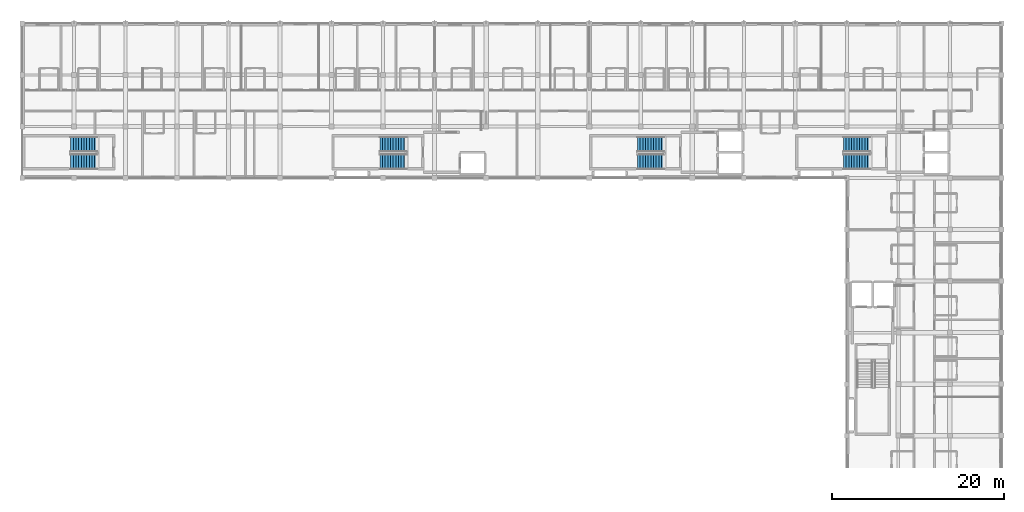
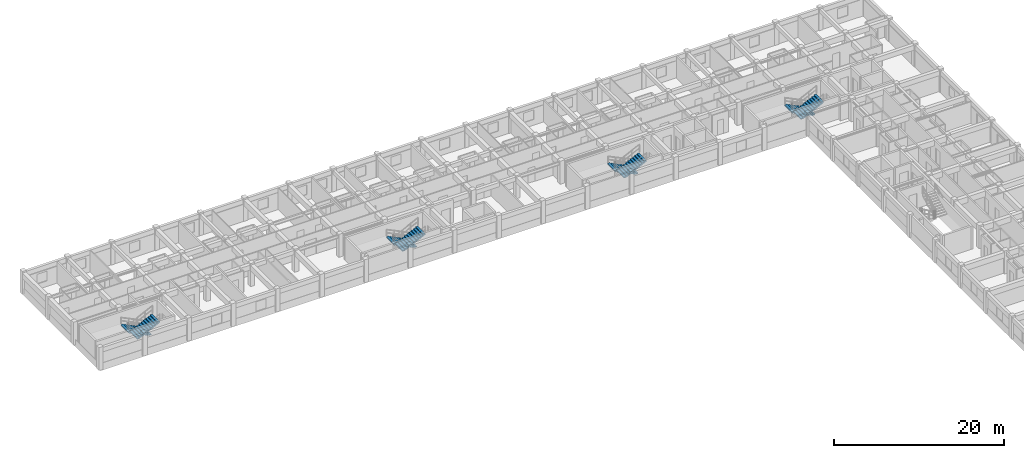
# One storey, part 17 of 22: 8 stair flights, 4 elements without a shape of their own.
"""IFC4 building model written with IfcOpenShell, lengths in metres."""

import ifcopenshell
import ifcopenshell.guid

model = None  # the IFC model being written
_history = None  # IfcOwnerHistory: only IFC2X3 demands one
_inside = {}  # id of a spatial element -> (the spatial element, [elements in it])
_under = {}  # id of a project, library or spatial element -> (it, [spatial elements below it])
_declared = {}  # id of a project -> (the project, [libraries it declares])
_typed = {}  # id of a type object -> (the type object, [elements of that type])
_made_of = {}  # id of a material, layer set ... -> (it, [elements and type objects made of it])


def new_model(schema):
    """Start an empty IFC model of exactly this schema.

    Asked for "IFC4X3", IfcOpenShell would pick the latest addendum, in which some entities
    have other attributes; the version numbers below select the first issue.
    IFC2X3 requires an IfcOwnerHistory on every rooted entity: one is made here for all.
    """
    global model, _history
    if schema == "IFC4X3":
        model = ifcopenshell.file(schema_version=(4, 3, 0, 0))
    else:
        model = ifcopenshell.file(schema=schema)
    _inside.clear()
    _under.clear()
    _declared.clear()
    _typed.clear()
    _made_of.clear()
    _history = None
    if model.schema == "IFC2X3":
        org = make("IfcOrganization", Name="unknown")
        user = make(
            "IfcPersonAndOrganization",
            ThePerson=make("IfcPerson", FamilyName="unknown"),
            TheOrganization=org,
        )
        app = make(
            "IfcApplication",
            ApplicationDeveloper=org,
            Version="unknown",
            ApplicationFullName="unknown",
            ApplicationIdentifier="unknown",
        )
        _history = make(
            "IfcOwnerHistory",
            OwningUser=user,
            OwningApplication=app,
            ChangeAction="ADDED",
            CreationDate=0,
        )
    return model


def make(cls, **values):
    """One entity of the class cls with the attributes given. An attribute that is None is left unset."""
    return model.create_entity(
        cls, **{name: value for name, value in values.items() if value is not None}
    )


def rooted(cls, **values):
    """An entity with a GlobalId (a new one), such as an element, a storey or a relation."""
    return make(cls, GlobalId=ifcopenshell.guid.new(), OwnerHistory=_history, **values)


def si_unit(unit_type, name, prefix=None):
    """IfcSIUnit, for example si_unit("LENGTHUNIT", "METRE", prefix="MILLI")."""
    return make("IfcSIUnit", UnitType=unit_type, Prefix=prefix, Name=name)


def assignment(units):
    """IfcUnitAssignment: the units of a project."""
    return None if units is None else make("IfcUnitAssignment", Units=units)


def point(xyz):
    """IfcCartesianPoint."""
    return None if xyz is None else make("IfcCartesianPoint", Coordinates=xyz)


def direction(xyz):
    """IfcDirection."""
    return None if xyz is None else make("IfcDirection", DirectionRatios=xyz)


def frame(location, z_axis=None, x_axis=None):
    """IfcAxis2Placement3D, a coordinate frame: its origin and axes. An axis left out is left unset."""
    return make(
        "IfcAxis2Placement3D",
        Location=point(location),
        Axis=direction(z_axis),
        RefDirection=direction(x_axis),
    )


def origin():
    """The frame at (0, 0, 0) with its axes left unset."""
    return frame((0.0, 0.0, 0.0))


def place(relative_to, where):
    """IfcLocalPlacement: puts the frame where relative to a parent placement (None: the world)."""
    return make(
        "IfcLocalPlacement", PlacementRelTo=relative_to, RelativePlacement=where
    )


def context(
    kind, dimensions, precision=None, world=None, true_north=None, identifier=None
):
    """IfcGeometricRepresentationContext, for example the 3D "Model" context."""
    return make(
        "IfcGeometricRepresentationContext",
        ContextIdentifier=identifier,
        ContextType=kind,
        CoordinateSpaceDimension=dimensions,
        Precision=precision,
        WorldCoordinateSystem=world,
        TrueNorth=true_north,
    )


def subcontext(parent, identifier, kind, view, scale=None):
    """IfcGeometricRepresentationSubContext, for example "Body" below "Model"."""
    return make(
        "IfcGeometricRepresentationSubContext",
        ContextIdentifier=identifier,
        ContextType=kind,
        ParentContext=parent,
        TargetScale=scale,
        TargetView=view,
    )


def project(units=None, contexts=None):
    """IfcProject with its units and contexts."""
    return rooted(
        "IfcProject",
        Name="project",
        RepresentationContexts=contexts,
        UnitsInContext=assignment(units),
    )


def spatial(cls, under=None, at=None, **own):
    """A site, building, storey or space (cls), placed at a placement, below another one or the project."""
    s = rooted(cls, ObjectPlacement=at, **own)
    if under is not None:
        _under.setdefault(under.id(), (under, []))[1].append(s)
    return s


def polyline(points):
    """IfcPolyline through the points."""
    return make("IfcPolyline", Points=[point(p) for p in points])


def outline(outer, holes=None, kind="AREA"):
    """IfcArbitraryClosedProfileDef: a profile drawn as a closed curve; with holes, ...WithVoids."""
    if holes is None:
        return make("IfcArbitraryClosedProfileDef", ProfileType=kind, OuterCurve=outer)
    return make(
        "IfcArbitraryProfileDefWithVoids",
        ProfileType=kind,
        OuterCurve=outer,
        InnerCurves=holes,
    )


def extrude(swept, where, along, depth):
    """IfcExtrudedAreaSolid: the profile swept, set in the frame where, extruded along a direction by depth."""
    return make(
        "IfcExtrudedAreaSolid",
        SweptArea=swept,
        Position=where,
        ExtrudedDirection=direction(along),
        Depth=depth,
    )


def shape(context_of_items, identifier, shape_type, items):
    """IfcShapeRepresentation: the items that make up one representation, for example the "Body"."""
    return make(
        "IfcShapeRepresentation",
        ContextOfItems=context_of_items,
        RepresentationIdentifier=identifier,
        RepresentationType=shape_type,
        Items=items,
    )


def material(Name=None, Category=None):
    """IfcMaterial."""
    return make("IfcMaterial", Name=Name, Category=Category)


def made_of(thing, what):
    """Note that an element or type object is made of a material, layer set ...; save() writes the relation."""
    if what is not None:
        _made_of.setdefault(what.id(), (what, []))[1].append(thing)
    return thing


def type_object(cls, material=None, **own):
    """A type object (cls), such as IfcWallType, which elements share."""
    return made_of(rooted(cls, **own), material)


def element(
    cls,
    number,
    at=None,
    inside=None,
    cuts=None,
    type_object=None,
    material=None,
    context=None,
    identifier="Body",
    shape_type=None,
    held_by="IfcProductDefinitionShape",
    body=None,
    shapes=None,
    **own,
):
    """One element of the class cls, such as IfcWall. Its Tag is "e" and its number.

    at: its placement. inside: the storey or other place that contains it. cuts: it is an
    opening in that element (IfcRelVoidsElement). A single representation is given by context,
    identifier, shape_type and body (its items); several are given by shapes. held_by: the class
    of the entity that holds the representations. save() writes the other relations.
    """
    e = rooted(cls, Tag="e%d" % number, ObjectPlacement=at, **own)
    if body is not None:
        shapes = [shape(context, identifier, shape_type, body)]
    if shapes is not None:
        e.Representation = make(held_by, Representations=shapes)
    if inside is not None:
        _inside.setdefault(inside.id(), (inside, []))[1].append(e)
    if cuts is not None:
        rooted(
            "IfcRelVoidsElement", RelatingBuildingElement=cuts, RelatedOpeningElement=e
        )
    if type_object is not None:
        _typed.setdefault(type_object.id(), (type_object, []))[1].append(e)
    return made_of(e, material)


def aggregate(whole, parts):
    """IfcRelAggregates: a whole, such as a stair, and the parts it consists of."""
    return rooted("IfcRelAggregates", RelatingObject=whole, RelatedObjects=parts)


def save(model, path):
    """Write the relations noted so far, then the file.

    IfcRelAggregates (storeys below a building ...), IfcRelContainedInSpatialStructure (elements
    in a storey), IfcRelDefinesByType, IfcRelAssociatesMaterial and IfcRelDeclares: one each for
    every whole, place, type object, material and project.
    """
    for whole, parts in _under.values():
        aggregate(whole, parts)
    for where, things in _inside.values():
        rooted(
            "IfcRelContainedInSpatialStructure",
            RelatedElements=things,
            RelatingStructure=where,
        )
    for kind, things in _typed.values():
        rooted("IfcRelDefinesByType", RelatedObjects=things, RelatingType=kind)
    for what, things in _made_of.values():
        rooted("IfcRelAssociatesMaterial", RelatedObjects=things, RelatingMaterial=what)
    for by, libraries in _declared.values():
        rooted("IfcRelDeclares", RelatingContext=by, RelatedDefinitions=libraries)
    model.write(path)


model = new_model("IFC4")

# Units and contexts
model_context = context("Model", 3, precision=1e-05, world=origin(), true_north=direction((0.0, 1.0)))
body_context = subcontext(model_context, "Body", "Model", "MODEL_VIEW")
ifc_project = project(units=[si_unit("LENGTHUNIT", "METRE"), si_unit("AREAUNIT", "SQUARE_METRE"), si_unit("VOLUMEUNIT", "CUBIC_METRE"), si_unit("PLANEANGLEUNIT", "RADIAN"), si_unit("MASSUNIT", "GRAM", prefix="KILO"), si_unit("THERMODYNAMICTEMPERATUREUNIT", "KELVIN"), si_unit("POWERUNIT", "WATT")], contexts=[model_context])

# Site, building, storey
site_placement = place(None, origin())
site = spatial("IfcSite", under=ifc_project, at=site_placement, CompositionType="ELEMENT")
building_placement = place(site_placement, origin())
building = spatial("IfcBuilding", under=site, at=building_placement, Name="Phaisarnlok Congress Hotel", CompositionType="ELEMENT")
storey_placement = place(building_placement, frame((0.0, 0.0, 28.199951171875)))
storey = spatial("IfcBuildingStorey", under=building, at=storey_placement, Name="L06", CompositionType="ELEMENT", Elevation=28.199951171875)

# Stair, stair flights
ifc_material = material(Name="Concrete C40/50", Category="concrete")
stair_type = type_object("IfcStairType", Name="STR-DOG-05", PredefinedType="HALF_TURN_STAIR", material=ifc_material)
stair_1_placement = place(storey_placement, origin())
stair_1 = element("IfcStair", 1, at=stair_1_placement, inside=storey, type_object=stair_type, Name="L06 ST-05", PredefinedType="HALF_TURN_STAIR")
stair_flight_type = type_object("IfcStairFlightType", Name="SFL-RC-05", PredefinedType="STRAIGHT", material=ifc_material)
stair_flight_1_placement = place(storey_placement, frame((164.719970703125, 111.909912109375, 0.0), z_axis=(0.0, 0.0, 1.0), x_axis=(-1.0, 0.0, 0.0)))
stair_flight_1 = element("IfcStairFlight", 2, at=stair_flight_1_placement, type_object=stair_flight_type, Name="ST-05 flight 1", NumberOfRisers=11, NumberOfTreads=10, PredefinedType="STRAIGHT", RiserHeight=0.15, TreadLength=0.31, context=body_context, shape_type="SweptSolid", body=[
    extrude(outline(polyline([(0.0, 0.0), (0.0, 0.14990234375), (0.31005859375, 0.14990234375), (0.31005859375, 0.300048828125), (0.6201171875, 0.300048828125), (0.6201171875, 0.449951171875), (0.929931640625, 0.449951171875), (0.929931640625, 0.60009765625), (1.239990234375, 0.60009765625), (1.239990234375, 0.75), (1.550048828125, 0.75), (1.550048828125, 0.89990234375), (1.860107421875, 0.89990234375), (1.860107421875, 1.050048828125), (2.169921875, 1.050048828125), (2.169921875, 1.199951171875), (2.47998046875, 1.199951171875), (2.47998046875, 1.35009765625), (2.7900390625, 1.35009765625), (2.7900390625, 1.5), (3.10009765625, 1.5), (3.10009765625, 1.64990234375), (3.10009765625, 1.33349609375), (0.34423828125, 0.0), (0.0, 0.0)])), frame((0.0, 0.89013671875, 0.0), z_axis=(0.0, -1.0, 0.0), x_axis=(1.0, 0.0, 0.0)), (0.0, 0.0, 1.0), 1.780029296875),
])
stair_flight_2_placement = place(storey_placement, frame((161.6201171875, 109.889892578125, 1.650146484375), z_axis=(0.0, 0.0, 1.0), x_axis=(1.0, 0.0, 0.0)))
stair_flight_2 = element("IfcStairFlight", 3, at=stair_flight_2_placement, type_object=stair_flight_type, Name="ST-05 flight 2", NumberOfRisers=11, NumberOfTreads=10, PredefinedType="STRAIGHT", RiserHeight=0.15, TreadLength=0.31, context=body_context, shape_type="SweptSolid", body=[
    extrude(outline(polyline([(0.0, 0.0), (0.0, 0.14990234375), (0.31005859375, 0.14990234375), (0.31005859375, 0.300048828125), (0.6201171875, 0.300048828125), (0.6201171875, 0.449951171875), (0.929931640625, 0.449951171875), (0.929931640625, 0.60009765625), (1.239990234375, 0.60009765625), (1.239990234375, 0.75), (1.550048828125, 0.75), (1.550048828125, 0.89990234375), (1.860107421875, 0.89990234375), (1.860107421875, 1.050048828125), (2.169921875, 1.050048828125), (2.169921875, 1.199951171875), (2.47998046875, 1.199951171875), (2.47998046875, 1.35009765625), (2.7900390625, 1.35009765625), (2.7900390625, 1.5), (3.10009765625, 1.5), (3.10009765625, 1.64990234375), (3.10009765625, 1.33349609375), (0.34423828125, 0.0), (0.0, 0.0)])), frame((0.0, 0.89013671875, 0.0), z_axis=(0.0, -1.0, 0.0), x_axis=(1.0, 0.0, 0.0)), (0.0, 0.0, 1.0), 1.780029296875),
])
aggregate(stair_1, [stair_flight_1, stair_flight_2])

stair_2_placement = place(storey_placement, origin())
stair_2 = element("IfcStair", 4, at=stair_2_placement, inside=storey, type_object=stair_type, Name="L06 ST-06", PredefinedType="HALF_TURN_STAIR")
stair_flight_3_placement = place(storey_placement, frame((140.719970703125, 111.909912109375, 0.0), z_axis=(0.0, 0.0, 1.0), x_axis=(-1.0, 0.0, 0.0)))
stair_flight_3 = element("IfcStairFlight", 5, at=stair_flight_3_placement, type_object=stair_flight_type, Name="ST-06 flight 1", NumberOfRisers=11, NumberOfTreads=10, PredefinedType="STRAIGHT", RiserHeight=0.15, TreadLength=0.31, context=body_context, shape_type="SweptSolid", body=[
    extrude(outline(polyline([(0.0, 0.0), (0.0, 0.14990234375), (0.31005859375, 0.14990234375), (0.31005859375, 0.300048828125), (0.6201171875, 0.300048828125), (0.6201171875, 0.449951171875), (0.929931640625, 0.449951171875), (0.929931640625, 0.60009765625), (1.239990234375, 0.60009765625), (1.239990234375, 0.75), (1.550048828125, 0.75), (1.550048828125, 0.89990234375), (1.860107421875, 0.89990234375), (1.860107421875, 1.050048828125), (2.169921875, 1.050048828125), (2.169921875, 1.199951171875), (2.47998046875, 1.199951171875), (2.47998046875, 1.35009765625), (2.7900390625, 1.35009765625), (2.7900390625, 1.5), (3.10009765625, 1.5), (3.10009765625, 1.64990234375), (3.10009765625, 1.33349609375), (0.34423828125, 0.0), (0.0, 0.0)])), frame((0.0, 0.89013671875, 0.0), z_axis=(0.0, -1.0, 0.0), x_axis=(1.0, 0.0, 0.0)), (0.0, 0.0, 1.0), 1.780029296875),
])
stair_flight_4_placement = place(storey_placement, frame((137.6201171875, 109.889892578125, 1.650146484375), z_axis=(0.0, 0.0, 1.0), x_axis=(1.0, 0.0, 0.0)))
stair_flight_4 = element("IfcStairFlight", 6, at=stair_flight_4_placement, type_object=stair_flight_type, Name="ST-06 flight 2", NumberOfRisers=11, NumberOfTreads=10, PredefinedType="STRAIGHT", RiserHeight=0.15, TreadLength=0.31, context=body_context, shape_type="SweptSolid", body=[
    extrude(outline(polyline([(0.0, 0.0), (0.0, 0.14990234375), (0.31005859375, 0.14990234375), (0.31005859375, 0.300048828125), (0.6201171875, 0.300048828125), (0.6201171875, 0.449951171875), (0.929931640625, 0.449951171875), (0.929931640625, 0.60009765625), (1.239990234375, 0.60009765625), (1.239990234375, 0.75), (1.550048828125, 0.75), (1.550048828125, 0.89990234375), (1.860107421875, 0.89990234375), (1.860107421875, 1.050048828125), (2.169921875, 1.050048828125), (2.169921875, 1.199951171875), (2.47998046875, 1.199951171875), (2.47998046875, 1.35009765625), (2.7900390625, 1.35009765625), (2.7900390625, 1.5), (3.10009765625, 1.5), (3.10009765625, 1.64990234375), (3.10009765625, 1.33349609375), (0.34423828125, 0.0), (0.0, 0.0)])), frame((0.0, 0.89013671875, 0.0), z_axis=(0.0, -1.0, 0.0), x_axis=(1.0, 0.0, 0.0)), (0.0, 0.0, 1.0), 1.780029296875),
])
aggregate(stair_2, [stair_flight_3, stair_flight_4])

stair_3_placement = place(storey_placement, origin())
stair_3 = element("IfcStair", 7, at=stair_3_placement, inside=storey, type_object=stair_type, Name="L06 ST-07", PredefinedType="HALF_TURN_STAIR")
stair_flight_5_placement = place(storey_placement, frame((110.719970703125, 111.909912109375, 0.0), z_axis=(0.0, 0.0, 1.0), x_axis=(-1.0, 0.0, 0.0)))
stair_flight_5 = element("IfcStairFlight", 8, at=stair_flight_5_placement, type_object=stair_flight_type, Name="ST-07 flight 1", NumberOfRisers=11, NumberOfTreads=10, PredefinedType="STRAIGHT", RiserHeight=0.15, TreadLength=0.31, context=body_context, shape_type="SweptSolid", body=[
    extrude(outline(polyline([(0.0, 0.0), (0.0, 0.14990234375), (0.31005859375, 0.14990234375), (0.31005859375, 0.300048828125), (0.6201171875, 0.300048828125), (0.6201171875, 0.449951171875), (0.929931640625, 0.449951171875), (0.929931640625, 0.60009765625), (1.239990234375, 0.60009765625), (1.239990234375, 0.75), (1.550048828125, 0.75), (1.550048828125, 0.89990234375), (1.860107421875, 0.89990234375), (1.860107421875, 1.050048828125), (2.169921875, 1.050048828125), (2.169921875, 1.199951171875), (2.47998046875, 1.199951171875), (2.47998046875, 1.35009765625), (2.7900390625, 1.35009765625), (2.7900390625, 1.5), (3.10009765625, 1.5), (3.10009765625, 1.64990234375), (3.10009765625, 1.33349609375), (0.34423828125, 0.0), (0.0, 0.0)])), frame((0.0, 0.89013671875, 0.0), z_axis=(0.0, -1.0, 0.0), x_axis=(1.0, 0.0, 0.0)), (0.0, 0.0, 1.0), 1.780029296875),
])
stair_flight_6_placement = place(storey_placement, frame((107.6201171875, 109.889892578125, 1.650146484375), z_axis=(0.0, 0.0, 1.0), x_axis=(1.0, 0.0, 0.0)))
stair_flight_6 = element("IfcStairFlight", 9, at=stair_flight_6_placement, type_object=stair_flight_type, Name="ST-07 flight 2", NumberOfRisers=11, NumberOfTreads=10, PredefinedType="STRAIGHT", RiserHeight=0.15, TreadLength=0.31, context=body_context, shape_type="SweptSolid", body=[
    extrude(outline(polyline([(0.0, 0.0), (0.0, 0.14990234375), (0.31005859375, 0.14990234375), (0.31005859375, 0.300048828125), (0.6201171875, 0.300048828125), (0.6201171875, 0.449951171875), (0.929931640625, 0.449951171875), (0.929931640625, 0.60009765625), (1.239990234375, 0.60009765625), (1.239990234375, 0.75), (1.550048828125, 0.75), (1.550048828125, 0.89990234375), (1.860107421875, 0.89990234375), (1.860107421875, 1.050048828125), (2.169921875, 1.050048828125), (2.169921875, 1.199951171875), (2.47998046875, 1.199951171875), (2.47998046875, 1.35009765625), (2.7900390625, 1.35009765625), (2.7900390625, 1.5), (3.10009765625, 1.5), (3.10009765625, 1.64990234375), (3.10009765625, 1.33349609375), (0.34423828125, 0.0), (0.0, 0.0)])), frame((0.0, 0.89013671875, 0.0), z_axis=(0.0, -1.0, 0.0), x_axis=(1.0, 0.0, 0.0)), (0.0, 0.0, 1.0), 1.780029296875),
])
aggregate(stair_3, [stair_flight_5, stair_flight_6])

stair_4_placement = place(storey_placement, origin())
stair_4 = element("IfcStair", 10, at=stair_4_placement, inside=storey, type_object=stair_type, Name="L06 ST-10", PredefinedType="HALF_TURN_STAIR")
stair_flight_7_placement = place(storey_placement, frame((74.719970703125, 111.909912109375, 0.0), z_axis=(0.0, 0.0, 1.0), x_axis=(-1.0, 0.0, 0.0)))
stair_flight_7 = element("IfcStairFlight", 11, at=stair_flight_7_placement, type_object=stair_flight_type, Name="ST-10 flight 1", NumberOfRisers=11, NumberOfTreads=10, PredefinedType="STRAIGHT", RiserHeight=0.15, TreadLength=0.31, context=body_context, shape_type="SweptSolid", body=[
    extrude(outline(polyline([(0.0, 0.0), (0.0, 0.14990234375), (0.31005859375, 0.14990234375), (0.31005859375, 0.300048828125), (0.6201171875, 0.300048828125), (0.6201171875, 0.449951171875), (0.929931640625, 0.449951171875), (0.929931640625, 0.60009765625), (1.239990234375, 0.60009765625), (1.239990234375, 0.75), (1.550048828125, 0.75), (1.550048828125, 0.89990234375), (1.860107421875, 0.89990234375), (1.860107421875, 1.050048828125), (2.169921875, 1.050048828125), (2.169921875, 1.199951171875), (2.47998046875, 1.199951171875), (2.47998046875, 1.35009765625), (2.7900390625, 1.35009765625), (2.7900390625, 1.5), (3.10009765625, 1.5), (3.10009765625, 1.64990234375), (3.10009765625, 1.33349609375), (0.34423828125, 0.0), (0.0, 0.0)])), frame((0.0, 0.89013671875, 0.0), z_axis=(0.0, -1.0, 0.0), x_axis=(1.0, 0.0, 0.0)), (0.0, 0.0, 1.0), 1.780029296875),
])
stair_flight_8_placement = place(storey_placement, frame((71.6201171875, 109.889892578125, 1.650146484375), z_axis=(0.0, 0.0, 1.0), x_axis=(1.0, 0.0, 0.0)))
stair_flight_8 = element("IfcStairFlight", 12, at=stair_flight_8_placement, type_object=stair_flight_type, Name="ST-10 flight 2", NumberOfRisers=11, NumberOfTreads=10, PredefinedType="STRAIGHT", RiserHeight=0.15, TreadLength=0.31, context=body_context, shape_type="SweptSolid", body=[
    extrude(outline(polyline([(0.0, 0.0), (0.0, 0.14990234375), (0.31005859375, 0.14990234375), (0.31005859375, 0.300048828125), (0.6201171875, 0.300048828125), (0.6201171875, 0.449951171875), (0.929931640625, 0.449951171875), (0.929931640625, 0.60009765625), (1.239990234375, 0.60009765625), (1.239990234375, 0.75), (1.550048828125, 0.75), (1.550048828125, 0.89990234375), (1.860107421875, 0.89990234375), (1.860107421875, 1.050048828125), (2.169921875, 1.050048828125), (2.169921875, 1.199951171875), (2.47998046875, 1.199951171875), (2.47998046875, 1.35009765625), (2.7900390625, 1.35009765625), (2.7900390625, 1.5), (3.10009765625, 1.5), (3.10009765625, 1.64990234375), (3.10009765625, 1.33349609375), (0.34423828125, 0.0), (0.0, 0.0)])), frame((0.0, 0.89013671875, 0.0), z_axis=(0.0, -1.0, 0.0), x_axis=(1.0, 0.0, 0.0)), (0.0, 0.0, 1.0), 1.780029296875),
])
aggregate(stair_4, [stair_flight_7, stair_flight_8])

save(model, "model.ifc")
